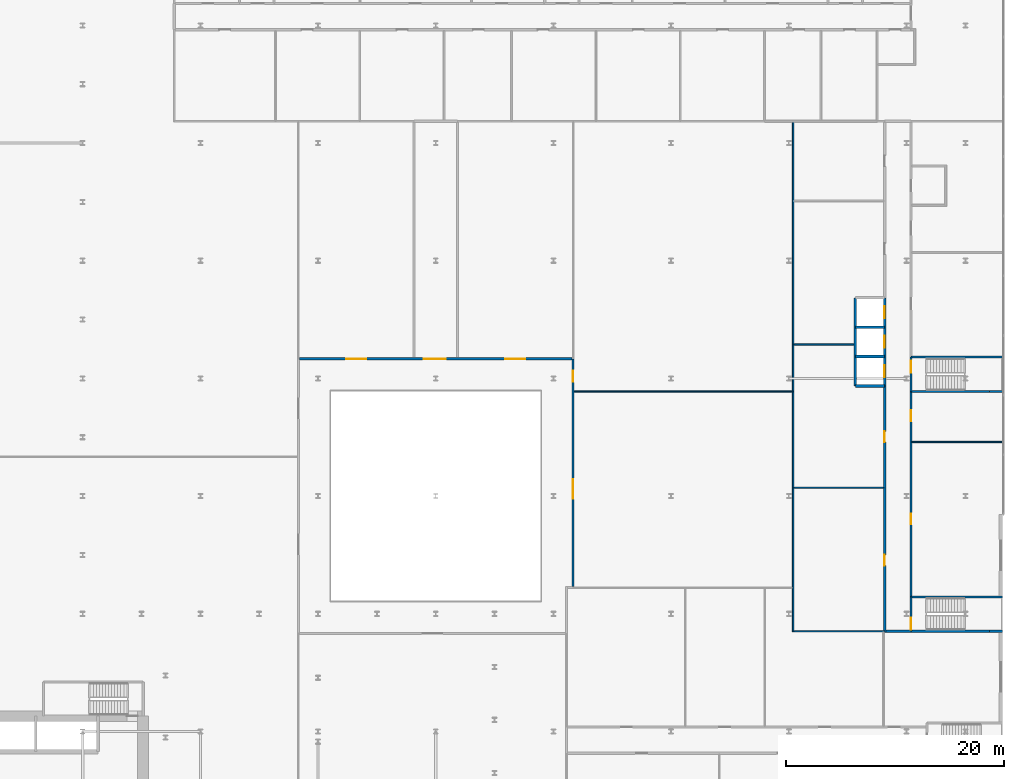
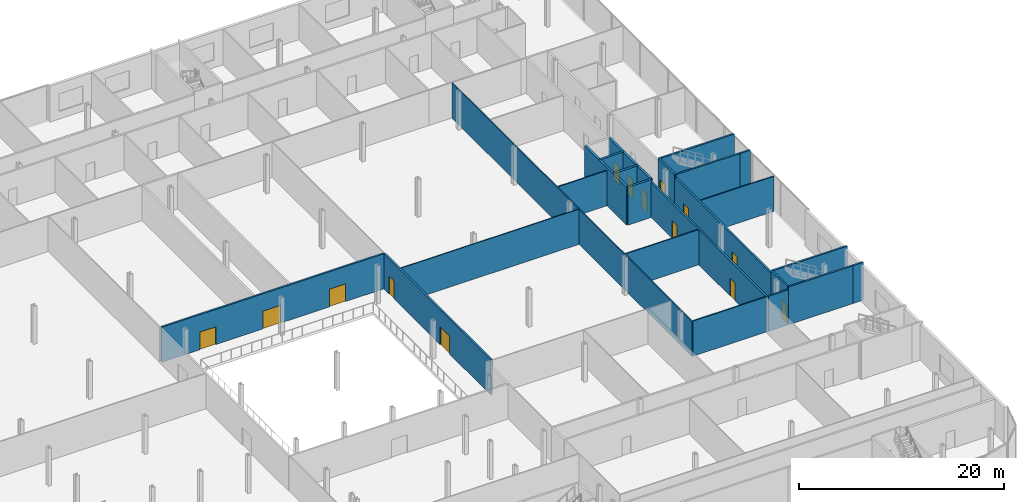
# One storey, part 33 of 47: 24 walls, 14 doors, 14 openings.
"""IFC4 building model written with IfcOpenShell, lengths in metres."""

from ifc_helpers import new_model, si_unit, direction, frame, frame_2d, origin, place, context, subcontext, project, spatial, rectangle, extrude, source, transform, mapped, material, layer, layer_set, type_object, element, fill, save


model = new_model("IFC4")

# Units and contexts
model_context = context("Model", 3, precision=1e-05, world=origin(), true_north=direction((0.0, 1.0)))
body_context = subcontext(model_context, "Body", "Model", "MODEL_VIEW")
ifc_project = project(units=[si_unit("LENGTHUNIT", "METRE"), si_unit("AREAUNIT", "SQUARE_METRE"), si_unit("VOLUMEUNIT", "CUBIC_METRE"), si_unit("PLANEANGLEUNIT", "RADIAN"), si_unit("MASSUNIT", "GRAM", prefix="KILO")], contexts=[model_context])

# Site, building, storey
site_placement = place(None, origin())
site = spatial("IfcSite", under=ifc_project, at=site_placement, CompositionType="ELEMENT")
building_placement = place(site_placement, origin())
building = spatial("IfcBuilding", under=site, at=building_placement, Name="Kheshtan School and Residences Tower", CompositionType="ELEMENT")
storey_placement = place(building_placement, frame((0.0, 0.0, 17.0)))
storey = spatial("IfcBuildingStorey", under=building, at=storey_placement, Name="L03", CompositionType="ELEMENT", Elevation=17.0)

# Walls
ifc_material_1 = material(Name="Gypsum board on steel studs with mineral wool", Category="steel")
ifc_layer_1 = layer(ifc_material_1, 0.125)
ifc_layer_set_1 = layer_set([ifc_layer_1], Name="Acoustic partition 125")
wall_type_1 = type_object("IfcWallType", Name="Acoustic partition 125", PredefinedType="PARTITIONING", material=ifc_layer_set_1)
wall_1_placement = place(storey_placement, frame((112.800048828125, 43.93798828125, 0.0), z_axis=(0.0, 0.0, 1.0), x_axis=(0.0, 1.0, 0.0)))
element("IfcWall", 1, at=wall_1_placement, inside=storey, type_object=wall_type_1, Name="Partition L03-068", PredefinedType="PARTITIONING", context=body_context, shape_type="SweptSolid", body=[
    extrude(rectangle(XDim=46.787109375, YDim=0.125, at=frame_2d((23.3935546875, 0.0))), origin(), (0.0, 0.0, 1.0), 4.179931640625),
])
wall_2_placement = place(storey_placement, frame((112.862060546875, 44.0, 0.0), z_axis=(0.0, 0.0, 1.0), x_axis=(1.0, 0.0, 0.0)))
element("IfcWall", 2, at=wall_2_placement, inside=storey, type_object=wall_type_1, Name="Partition L03-069", PredefinedType="PARTITIONING", context=body_context, shape_type="SweptSolid", body=[
    extrude(rectangle(XDim=8.279052734375, YDim=0.125, at=frame_2d((4.1396484375, 0.0))), origin(), (0.0, 0.0, 1.0), 4.179931640625),
])
wall_3_placement = place(storey_placement, frame((112.862060546875, 57.162109375, 0.0), z_axis=(0.0, 0.0, 1.0), x_axis=(1.0, 0.0, 0.0)))
element("IfcWall", 3, at=wall_3_placement, inside=storey, type_object=wall_type_1, Name="Partition L03-070", PredefinedType="PARTITIONING", context=body_context, shape_type="SweptSolid", body=[
    extrude(rectangle(XDim=8.238037109375, YDim=0.125, at=frame_2d((4.119140625, 0.0))), origin(), (0.0, 0.0, 1.0), 4.179931640625),
])
wall_4_placement = place(storey_placement, frame((112.862060546875, 70.324951171875, 0.0), z_axis=(0.0, 0.0, 1.0), x_axis=(1.0, 0.0, 0.0)))
element("IfcWall", 4, at=wall_4_placement, inside=storey, type_object=wall_type_1, Name="Partition L03-071", PredefinedType="PARTITIONING", context=body_context, shape_type="SweptSolid", body=[
    extrude(rectangle(XDim=5.513916015625, YDim=0.125, at=frame_2d((2.7568359375, 0.0))), origin(), (0.0, 0.0, 1.0), 4.179931640625),
])
wall_5_placement = place(storey_placement, frame((123.699951171875, 61.368896484375, 0.0), z_axis=(0.0, 0.0, 1.0), x_axis=(1.0, 0.0, 0.0)))
element("IfcWall", 5, at=wall_5_placement, inside=storey, type_object=wall_type_1, Name="Partition L03-091", PredefinedType="PARTITIONING", context=body_context, shape_type="SweptSolid", body=[
    extrude(rectangle(XDim=8.300048828125, YDim=0.125, at=frame_2d((4.14990234375, 0.0))), origin(), (0.0, 0.0, 1.0), 4.179931640625),
])

# Wall, openings, doors
ifc_material_2 = material(Name="Gypsum board on steel studs with fire boards", Category="steel")
ifc_layer_2 = layer(ifc_material_2, 0.199951171875)
ifc_layer_set_2 = layer_set([ifc_layer_2], Name="Corridor wall 200")
wall_type_2 = type_object("IfcWallType", Name="Corridor wall 200", PredefinedType="PARTITIONING", material=ifc_layer_set_2)
wall_6_placement = place(storey_placement, frame((67.5, 69.0, 0.0), z_axis=(0.0, 0.0, 1.0), x_axis=(1.0, 0.0, 0.0)))
wall_6 = element("IfcWall", 6, at=wall_6_placement, inside=storey, type_object=wall_type_2, Name="Partition L03-033", PredefinedType="PARTITIONING", context=body_context, shape_type="SweptSolid", body=[
    extrude(rectangle(XDim=25.0, YDim=0.199951171875, at=frame_2d((12.5, 0.0))), origin(), (0.0, 0.0, 1.0), 4.179931640625),
])
opening_1_placement = place(wall_6_placement, frame((11.39990234375, 0.0, 0.0)))
opening_1 = element("IfcOpeningElement", 7, at=opening_1_placement, cuts=wall_6, Name="Opening D03-012", PredefinedType="OPENING", context=body_context, shape_type="SweptSolid", body=[
    extrude(rectangle(XDim=2.0, YDim=2.10009765625, at=frame_2d((1.0, 1.050048828125))), frame((0.0, 0.10986328125, 0.0), z_axis=(0.0, -1.0, 0.0), x_axis=(1.0, 0.0, 0.0)), (0.0, 0.0, 1.0), 0.219970703125),
])
opening_2_placement = place(wall_6_placement, frame((4.300048828125, 0.0, 0.0)))
opening_2 = element("IfcOpeningElement", 8, at=opening_2_placement, cuts=wall_6, Name="Opening D03-032", PredefinedType="OPENING", context=body_context, shape_type="SweptSolid", body=[
    extrude(rectangle(XDim=1.800048828125, YDim=2.10009765625, at=frame_2d((0.89990234375, 1.050048828125))), frame((0.0, 0.10986328125, 0.0), z_axis=(0.0, -1.0, 0.0), x_axis=(1.0, 0.0, 0.0)), (0.0, 0.0, 1.0), 0.219970703125),
])
opening_3_placement = place(wall_6_placement, frame((18.89990234375, 0.0, 0.0)))
opening_3 = element("IfcOpeningElement", 9, at=opening_3_placement, cuts=wall_6, Name="Opening D03-033", PredefinedType="OPENING", context=body_context, shape_type="SweptSolid", body=[
    extrude(rectangle(XDim=1.800048828125, YDim=2.10009765625, at=frame_2d((0.89990234375, 1.050048828125))), frame((0.0, 0.10986328125, 0.0), z_axis=(0.0, -1.0, 0.0), x_axis=(1.0, 0.0, 0.0)), (0.0, 0.0, 1.0), 0.219970703125),
])
ifc_material_3 = material(Name="Steel-framed fire-resisting door leaf", Category="steel")
door_type_1 = type_object("IfcDoorType", Name="Fire double door FD60 1800 x 2100", OperationType="DOUBLE_DOOR_SINGLE_SWING", PredefinedType="DOOR", material=ifc_material_3)
shared_shape_1 = source(origin(), body_context, "Body", "SweptSolid", [
    extrude(rectangle(XDim=1.800048828125, YDim=2.10009765625, at=frame_2d((0.89990234375, 1.050048828125))), frame((0.0, 0.02490234375, 0.0), z_axis=(0.0, -1.0, 0.0), x_axis=(1.0, 0.0, 0.0)), (0.0, 0.0, 1.0), 0.050048828125),
])
door_1_placement = place(opening_2_placement, origin())
door_1 = element("IfcDoor", 10, at=door_1_placement, inside=storey, type_object=door_type_1, Name="Door D03-032", OperationType="DOUBLE_DOOR_SINGLE_SWING", OverallHeight=2.10009765625, OverallWidth=1.800048828125, PredefinedType="DOOR", context=body_context, shape_type="MappedRepresentation", body=[
    mapped(shared_shape_1, transform((0.0, 0.0, 0.0), x_axis=(1.0, 0.0, 0.0), y_axis=(0.0, 1.0, 0.0), z_axis=(0.0, 0.0, 1.0), scale=1.0)),
])
fill(opening_2, door_1)
door_2_placement = place(opening_3_placement, origin())
door_2 = element("IfcDoor", 11, at=door_2_placement, inside=storey, type_object=door_type_1, Name="Door D03-033", OperationType="DOUBLE_DOOR_SINGLE_SWING", OverallHeight=2.10009765625, OverallWidth=1.800048828125, PredefinedType="DOOR", context=body_context, shape_type="MappedRepresentation", body=[
    mapped(shared_shape_1, transform((0.0, 0.0, 0.0), x_axis=(1.0, 0.0, 0.0), y_axis=(0.0, 1.0, 0.0), z_axis=(0.0, 0.0, 1.0), scale=1.0)),
])
fill(opening_3, door_2)
door_type_2 = type_object("IfcDoorType", Name="Fire double door FD60 2000 x 2100", OperationType="DOUBLE_DOOR_SINGLE_SWING", PredefinedType="DOOR", material=ifc_material_3)
shared_shape_2 = source(origin(), body_context, "Body", "SweptSolid", [
    extrude(rectangle(XDim=2.0, YDim=2.10009765625, at=frame_2d((1.0, 1.050048828125))), frame((0.0, 0.02490234375, 0.0), z_axis=(0.0, -1.0, 0.0), x_axis=(1.0, 0.0, 0.0)), (0.0, 0.0, 1.0), 0.050048828125),
])
door_3_placement = place(opening_1_placement, origin())
door_3 = element("IfcDoor", 12, at=door_3_placement, inside=storey, type_object=door_type_2, Name="Door D03-012", OperationType="DOUBLE_DOOR_SINGLE_SWING", OverallHeight=2.10009765625, OverallWidth=2.0, PredefinedType="DOOR", context=body_context, shape_type="MappedRepresentation", body=[
    mapped(shared_shape_2, transform((0.0, 0.0, 0.0), x_axis=(1.0, 0.0, 0.0), y_axis=(0.0, 1.0, 0.0), z_axis=(0.0, 0.0, 1.0), scale=1.0)),
])
fill(opening_1, door_3)

wall_7_placement = place(storey_placement, frame((92.60009765625, 48.10009765625, 0.0), z_axis=(0.0, 0.0, 1.0), x_axis=(0.0, 1.0, 0.0)))
wall_7 = element("IfcWall", 13, at=wall_7_placement, inside=storey, type_object=wall_type_2, Name="Partition L03-054", PredefinedType="PARTITIONING", context=body_context, shape_type="SweptSolid", body=[
    extrude(rectangle(XDim=20.89990234375, YDim=0.199951171875, at=frame_2d((10.449951171875, 0.0))), origin(), (0.0, 0.0, 1.0), 4.179931640625),
])
opening_4_placement = place(wall_7_placement, frame((8.050048828125, 0.0, 0.0)))
opening_4 = element("IfcOpeningElement", 14, at=opening_4_placement, cuts=wall_7, Name="Opening D03-010", PredefinedType="OPENING", context=body_context, shape_type="SweptSolid", body=[
    extrude(rectangle(XDim=1.800048828125, YDim=2.10009765625, at=frame_2d((0.89990234375, 1.050048828125))), frame((0.0, 0.10986328125, 0.0), z_axis=(0.0, -1.0, 0.0), x_axis=(1.0, 0.0, 0.0)), (0.0, 0.0, 1.0), 0.219970703125),
])
opening_5_placement = place(wall_7_placement, frame((18.800048828125, 0.0, 0.0)))
opening_5 = element("IfcOpeningElement", 15, at=opening_5_placement, cuts=wall_7, Name="Opening D03-011", PredefinedType="OPENING", context=body_context, shape_type="SweptSolid", body=[
    extrude(rectangle(XDim=1.0, YDim=2.10009765625, at=frame_2d((0.5, 1.050048828125))), frame((0.0, 0.10986328125, 0.0), z_axis=(0.0, -1.0, 0.0), x_axis=(1.0, 0.0, 0.0)), (0.0, 0.0, 1.0), 0.219970703125),
])
door_4_placement = place(opening_4_placement, origin())
door_4 = element("IfcDoor", 16, at=door_4_placement, inside=storey, type_object=door_type_1, Name="Door D03-010", OperationType="DOUBLE_DOOR_SINGLE_SWING", OverallHeight=2.10009765625, OverallWidth=1.800048828125, PredefinedType="DOOR", context=body_context, shape_type="MappedRepresentation", body=[
    mapped(shared_shape_1, transform((0.0, 0.0, 0.0), x_axis=(1.0, 0.0, 0.0), y_axis=(0.0, 1.0, 0.0), z_axis=(0.0, 0.0, 1.0), scale=1.0)),
])
fill(opening_4, door_4)
door_type_3 = type_object("IfcDoorType", Name="Fire door FD60 1000 x 2100", OperationType="SINGLE_SWING_LEFT", PredefinedType="DOOR", material=ifc_material_3)
shared_shape_3 = source(origin(), body_context, "Body", "SweptSolid", [
    extrude(rectangle(XDim=1.0, YDim=2.10009765625, at=frame_2d((0.5, 1.050048828125))), frame((0.0, 0.02490234375, 0.0), z_axis=(0.0, -1.0, 0.0), x_axis=(1.0, 0.0, 0.0)), (0.0, 0.0, 1.0), 0.050048828125),
])
door_5_placement = place(opening_5_placement, origin())
door_5 = element("IfcDoor", 17, at=door_5_placement, inside=storey, type_object=door_type_3, Name="Door D03-011", OperationType="SINGLE_SWING_RIGHT", OverallHeight=2.10009765625, OverallWidth=1.0, PredefinedType="DOOR", context=body_context, shape_type="MappedRepresentation", body=[
    mapped(shared_shape_3, transform((0.0, 0.0, 0.0), x_axis=(1.0, 0.0, 0.0), y_axis=(0.0, 1.0, 0.0), z_axis=(0.0, 0.0, 1.0), scale=1.0)),
])
fill(opening_5, door_5)

wall_8_placement = place(storey_placement, frame((121.199951171875, 43.89990234375, 0.0), z_axis=(0.0, 0.0, 1.0), x_axis=(0.0, 1.0, 0.0)))
wall_8 = element("IfcWall", 18, at=wall_8_placement, inside=storey, type_object=wall_type_2, Name="Partition L03-081", PredefinedType="PARTITIONING", context=body_context, shape_type="SweptSolid", body=[
    extrude(rectangle(XDim=22.60009765625, YDim=0.199951171875, at=frame_2d((11.300048828125, 0.0))), origin(), (0.0, 0.0, 1.0), 4.179931640625),
])
opening_6_placement = place(wall_8_placement, frame((6.112060546875, 0.0, 0.0)))
opening_6 = element("IfcOpeningElement", 19, at=opening_6_placement, cuts=wall_8, Name="Opening D03-001", PredefinedType="OPENING", context=body_context, shape_type="SweptSolid", body=[
    extrude(rectangle(XDim=1.0, YDim=2.10009765625, at=frame_2d((0.5, 1.050048828125))), frame((0.0, 0.10986328125, 0.0), z_axis=(0.0, -1.0, 0.0), x_axis=(1.0, 0.0, 0.0)), (0.0, 0.0, 1.0), 0.219970703125),
])
opening_7_placement = place(wall_8_placement, frame((17.449951171875, 0.0, 0.0)))
opening_7 = element("IfcOpeningElement", 20, at=opening_7_placement, cuts=wall_8, Name="Opening D03-002", PredefinedType="OPENING", context=body_context, shape_type="SweptSolid", body=[
    extrude(rectangle(XDim=1.0, YDim=2.10009765625, at=frame_2d((0.5, 1.050048828125))), frame((0.0, 0.10986328125, 0.0), z_axis=(0.0, -1.0, 0.0), x_axis=(1.0, 0.0, 0.0)), (0.0, 0.0, 1.0), 0.219970703125),
])
door_6_placement = place(opening_6_placement, origin())
door_6 = element("IfcDoor", 21, at=door_6_placement, inside=storey, type_object=door_type_3, Name="Door D03-001", OperationType="SINGLE_SWING_RIGHT", OverallHeight=2.10009765625, OverallWidth=1.0, PredefinedType="DOOR", context=body_context, shape_type="MappedRepresentation", body=[
    mapped(shared_shape_3, transform((0.0, 0.0, 0.0), x_axis=(1.0, 0.0, 0.0), y_axis=(0.0, 1.0, 0.0), z_axis=(0.0, 0.0, 1.0), scale=1.0)),
])
fill(opening_6, door_6)
door_7_placement = place(opening_7_placement, origin())
door_7 = element("IfcDoor", 22, at=door_7_placement, inside=storey, type_object=door_type_3, Name="Door D03-002", OperationType="SINGLE_SWING_LEFT", OverallHeight=2.10009765625, OverallWidth=1.0, PredefinedType="DOOR", context=body_context, shape_type="MappedRepresentation", body=[
    mapped(shared_shape_3, transform((0.0, 0.0, 0.0), x_axis=(1.0, 0.0, 0.0), y_axis=(0.0, 1.0, 0.0), z_axis=(0.0, 0.0, 1.0), scale=1.0)),
])
fill(opening_7, door_7)

# Wall
wall_9_placement = place(storey_placement, frame((121.300048828125, 44.0, 0.0), z_axis=(0.0, 0.0, 1.0), x_axis=(1.0, 0.0, 0.0)))
element("IfcWall", 23, at=wall_9_placement, inside=storey, type_object=wall_type_2, Name="Partition L03-084", PredefinedType="PARTITIONING", context=body_context, shape_type="SweptSolid", body=[
    extrude(rectangle(XDim=2.300048828125, YDim=0.199951171875, at=frame_2d((1.14990234375, 0.0))), origin(), (0.0, 0.0, 1.0), 4.179931640625),
])

# Wall, openings, doors
wall_10_placement = place(storey_placement, frame((123.60009765625, 47.14990234375, 0.0), z_axis=(0.0, 0.0, 1.0), x_axis=(0.0, 1.0, 0.0)))
wall_10 = element("IfcWall", 24, at=wall_10_placement, inside=storey, type_object=wall_type_2, Name="Partition L03-085", PredefinedType="PARTITIONING", context=body_context, shape_type="SweptSolid", body=[
    extrude(rectangle(XDim=18.85009765625, YDim=0.199951171875, at=frame_2d((9.425048828125, 0.0))), origin(), (0.0, 0.0, 1.0), 4.179931640625),
])
opening_8_placement = place(wall_10_placement, frame((6.64990234375, 0.0, 0.0)))
opening_8 = element("IfcOpeningElement", 25, at=opening_8_placement, cuts=wall_10, Name="Opening D03-005", PredefinedType="OPENING", context=body_context, shape_type="SweptSolid", body=[
    extrude(rectangle(XDim=1.0, YDim=2.10009765625, at=frame_2d((0.5, 1.050048828125))), frame((0.0, 0.10986328125, 0.0), z_axis=(0.0, -1.0, 0.0), x_axis=(1.0, 0.0, 0.0)), (0.0, 0.0, 1.0), 0.219970703125),
])
opening_9_placement = place(wall_10_placement, frame((16.118896484375, 0.0, 0.0)))
opening_9 = element("IfcOpeningElement", 26, at=opening_9_placement, cuts=wall_10, Name="Opening D03-006", PredefinedType="OPENING", context=body_context, shape_type="SweptSolid", body=[
    extrude(rectangle(XDim=1.0, YDim=2.10009765625, at=frame_2d((0.5, 1.050048828125))), frame((0.0, 0.10986328125, 0.0), z_axis=(0.0, -1.0, 0.0), x_axis=(1.0, 0.0, 0.0)), (0.0, 0.0, 1.0), 0.219970703125),
])
door_8_placement = place(opening_8_placement, origin())
door_8 = element("IfcDoor", 27, at=door_8_placement, inside=storey, type_object=door_type_3, Name="Door D03-005", OperationType="SINGLE_SWING_RIGHT", OverallHeight=2.10009765625, OverallWidth=1.0, PredefinedType="DOOR", context=body_context, shape_type="MappedRepresentation", body=[
    mapped(shared_shape_3, transform((0.0, 0.0, 0.0), x_axis=(1.0, 0.0, 0.0), y_axis=(0.0, 1.0, 0.0), z_axis=(0.0, 0.0, 1.0), scale=1.0)),
])
fill(opening_8, door_8)
door_9_placement = place(opening_9_placement, origin())
door_9 = element("IfcDoor", 28, at=door_9_placement, inside=storey, type_object=door_type_3, Name="Door D03-006", OperationType="SINGLE_SWING_RIGHT", OverallHeight=2.10009765625, OverallWidth=1.0, PredefinedType="DOOR", context=body_context, shape_type="MappedRepresentation", body=[
    mapped(shared_shape_3, transform((0.0, 0.0, 0.0), x_axis=(1.0, 0.0, 0.0), y_axis=(0.0, 1.0, 0.0), z_axis=(0.0, 0.0, 1.0), scale=1.0)),
])
fill(opening_9, door_9)

# Walls
ifc_material_4 = material(Name="Gypsum board on steel studs", Category="steel")
ifc_layer_3 = layer(ifc_material_4, 0.10009765625)
ifc_layer_set_3 = layer_set([ifc_layer_3], Name="Gypsum partition 100")
wall_type_3 = type_object("IfcWallType", Name="Gypsum partition 100", PredefinedType="PARTITIONING", material=ifc_layer_set_3)
wall_11_placement = place(storey_placement, frame((92.699951171875, 66.0, 0.0), z_axis=(0.0, 0.0, 1.0), x_axis=(1.0, 0.0, 0.0)))
element("IfcWall", 29, at=wall_11_placement, inside=storey, type_object=wall_type_3, Name="Partition L03-056", PredefinedType="PARTITIONING", context=body_context, shape_type="SweptSolid", body=[
    extrude(rectangle(XDim=20.0380859375, YDim=0.10009765625, at=frame_2d((10.01904296875, 0.0))), origin(), (0.0, 0.0, 1.0), 4.179931640625),
])
ifc_material_5 = material(Name="Fire-board shaft wall system")
ifc_layer_4 = layer(ifc_material_5, 0.25)
ifc_layer_set_4 = layer_set([ifc_layer_4], Name="Shaft lining wall 250")
wall_type_4 = type_object("IfcWallType", Name="Shaft lining wall 250", PredefinedType="PARTITIONING", material=ifc_layer_set_4)
wall_12_placement = place(storey_placement, frame((118.5, 66.5, 0.0), z_axis=(0.0, 0.0, 1.0), x_axis=(0.0, 1.0, 0.0)))
element("IfcWall", 30, at=wall_12_placement, inside=storey, type_object=wall_type_4, Name="Shaft lining wall", PredefinedType="PARTITIONING", context=body_context, shape_type="SweptSolid", body=[
    extrude(rectangle(XDim=8.10009765625, YDim=0.25, at=frame_2d((4.050048828125, 0.0))), origin(), (0.0, 0.0, 1.0), 4.5),
])

# Wall, openings, doors
wall_13_placement = place(storey_placement, frame((121.199951171875, 66.5, 0.0), z_axis=(0.0, 0.0, 1.0), x_axis=(0.0, 1.0, 0.0)))
wall_13 = element("IfcWall", 31, at=wall_13_placement, inside=storey, type_object=wall_type_4, Name="Shaft lining wall", PredefinedType="PARTITIONING", context=body_context, shape_type="SweptSolid", body=[
    extrude(rectangle(XDim=8.10009765625, YDim=0.25, at=frame_2d((4.050048828125, 0.0))), origin(), (0.0, 0.0, 1.0), 4.5),
])
opening_10_placement = place(wall_13_placement, frame((0.800048828125, 0.0, 0.0)))
opening_10 = element("IfcOpeningElement", 32, at=opening_10_placement, cuts=wall_13, Name="Opening LD", PredefinedType="OPENING", context=body_context, shape_type="SweptSolid", body=[
    extrude(rectangle(XDim=1.10009765625, YDim=2.199951171875, at=frame_2d((0.550048828125, 1.10009765625))), frame((0.0, 0.135009765625, 0.0), z_axis=(0.0, -1.0, 0.0), x_axis=(1.0, 0.0, 0.0)), (0.0, 0.0, 1.0), 0.27001953125),
])
opening_11_placement = place(wall_13_placement, frame((3.5, 0.0, 0.0)))
opening_11 = element("IfcOpeningElement", 33, at=opening_11_placement, cuts=wall_13, Name="Opening LD", PredefinedType="OPENING", context=body_context, shape_type="SweptSolid", body=[
    extrude(rectangle(XDim=1.10009765625, YDim=2.199951171875, at=frame_2d((0.550048828125, 1.10009765625))), frame((0.0, 0.135009765625, 0.0), z_axis=(0.0, -1.0, 0.0), x_axis=(1.0, 0.0, 0.0)), (0.0, 0.0, 1.0), 0.27001953125),
])
opening_12_placement = place(wall_13_placement, frame((6.199951171875, 0.0, 0.0)))
opening_12 = element("IfcOpeningElement", 34, at=opening_12_placement, cuts=wall_13, Name="Opening LD", PredefinedType="OPENING", context=body_context, shape_type="SweptSolid", body=[
    extrude(rectangle(XDim=1.10009765625, YDim=2.199951171875, at=frame_2d((0.550048828125, 1.10009765625))), frame((0.0, 0.135009765625, 0.0), z_axis=(0.0, -1.0, 0.0), x_axis=(1.0, 0.0, 0.0)), (0.0, 0.0, 1.0), 0.27001953125),
])
ifc_material_6 = material(Name="Stainless steel door leaves", Category="steel")
door_type_4 = type_object("IfcDoorType", Name="Lift landing door 1100", OperationType="SLIDING_TO_LEFT", PredefinedType="DOOR", material=ifc_material_6)
shared_shape_4 = source(origin(), body_context, "Body", "SweptSolid", [
    extrude(rectangle(XDim=1.10009765625, YDim=2.199951171875, at=frame_2d((0.550048828125, 1.10009765625))), frame((0.0, 0.02490234375, 0.0), z_axis=(0.0, -1.0, 0.0), x_axis=(1.0, 0.0, 0.0)), (0.0, 0.0, 1.0), 0.050048828125),
])
door_10_placement = place(opening_10_placement, origin())
door_10 = element("IfcDoor", 35, at=door_10_placement, inside=storey, type_object=door_type_4, Name="Lift SCL1 landing door", OperationType="SLIDING_TO_LEFT", OverallHeight=2.199951171875, OverallWidth=1.10009765625, PredefinedType="DOOR", context=body_context, shape_type="MappedRepresentation", body=[
    mapped(shared_shape_4, transform((0.0, 0.0, 0.0), x_axis=(1.0, 0.0, 0.0), y_axis=(0.0, 1.0, 0.0), z_axis=(0.0, 0.0, 1.0), scale=1.0)),
])
fill(opening_10, door_10)
door_11_placement = place(opening_11_placement, origin())
door_11 = element("IfcDoor", 36, at=door_11_placement, inside=storey, type_object=door_type_4, Name="Lift SCL2 landing door", OperationType="SLIDING_TO_LEFT", OverallHeight=2.199951171875, OverallWidth=1.10009765625, PredefinedType="DOOR", context=body_context, shape_type="MappedRepresentation", body=[
    mapped(shared_shape_4, transform((0.0, 0.0, 0.0), x_axis=(1.0, 0.0, 0.0), y_axis=(0.0, 1.0, 0.0), z_axis=(0.0, 0.0, 1.0), scale=1.0)),
])
fill(opening_11, door_11)
door_12_placement = place(opening_12_placement, origin())
door_12 = element("IfcDoor", 37, at=door_12_placement, inside=storey, type_object=door_type_4, Name="Lift SCL3 landing door", OperationType="SLIDING_TO_LEFT", OverallHeight=2.199951171875, OverallWidth=1.10009765625, PredefinedType="DOOR", context=body_context, shape_type="MappedRepresentation", body=[
    mapped(shared_shape_4, transform((0.0, 0.0, 0.0), x_axis=(1.0, 0.0, 0.0), y_axis=(0.0, 1.0, 0.0), z_axis=(0.0, 0.0, 1.0), scale=1.0)),
])
fill(opening_12, door_12)

# Walls
for number, where, z_axis, x_axis, name in (
    (38, (118.5, 66.5, 0.0), (0.0, 0.0, 1.0), (1.0, 0.0, 0.0), "Shaft lining wall"),
    (39, (118.5, 69.199951171875, 0.0), (0.0, 0.0, 1.0), (1.0, 0.0, 0.0), "Shaft lining wall"),
    (40, (118.5, 71.89990234375, 0.0), (0.0, 0.0, 1.0), (1.0, 0.0, 0.0), "Shaft lining wall"),
):
    element("IfcWall", number, at=place(storey_placement, frame(where, z_axis=z_axis, x_axis=x_axis)), inside=storey, type_object=wall_type_4, Name=name, PredefinedType="PARTITIONING", context=body_context, shape_type="SweptSolid", body=[
        extrude(rectangle(XDim=2.699951171875, YDim=0.25, at=frame_2d((1.35009765625, 0.0))), origin(), (0.0, 0.0, 1.0), 4.5),
    ])
ifc_material_7 = material(Name="Concrete C40/50", Category="concrete")
ifc_layer_5 = layer(ifc_material_7, 0.199951171875)
ifc_layer_set_5 = layer_set([ifc_layer_5], Name="Stair enclosure wall 200 Concrete C40/50")
wall_type_5 = type_object("IfcWallType", Name="Stair enclosure wall 200 Concrete C40/50", PredefinedType="SHEAR", material=ifc_layer_set_5)
wall_14_placement = place(storey_placement, frame((123.60009765625, 44.0, 0.0), z_axis=(0.0, 0.0, 1.0), x_axis=(1.0, 0.0, 0.0)))
element("IfcWall", 41, at=wall_14_placement, inside=storey, type_object=wall_type_5, Name="Stair enclosure wall", PredefinedType="SHEAR", context=body_context, shape_type="SweptSolid", body=[
    extrude(rectangle(XDim=7.199951171875, YDim=0.199951171875, at=frame_2d((3.60009765625, 0.0))), origin(), (0.0, 0.0, 1.0), 4.5),
])
wall_15_placement = place(storey_placement, frame((130.800048828125, 44.0, 0.0), z_axis=(0.0, 0.0, 1.0), x_axis=(1.0, 0.0, 0.0)))
element("IfcWall", 42, at=wall_15_placement, inside=storey, type_object=wall_type_5, Name="Stair enclosure wall", PredefinedType="SHEAR", context=body_context, shape_type="SweptSolid", body=[
    extrude(rectangle(XDim=1.199951171875, YDim=0.199951171875, at=frame_2d((0.60009765625, 0.0))), origin(), (0.0, 0.0, 1.0), 4.5),
])
wall_16_placement = place(storey_placement, frame((123.60009765625, 47.14990234375, 0.0), z_axis=(0.0, 0.0, 1.0), x_axis=(1.0, 0.0, 0.0)))
element("IfcWall", 43, at=wall_16_placement, inside=storey, type_object=wall_type_5, Name="Stair enclosure wall", PredefinedType="SHEAR", context=body_context, shape_type="SweptSolid", body=[
    extrude(rectangle(XDim=8.39990234375, YDim=0.199951171875, at=frame_2d((4.199951171875, 0.0))), origin(), (0.0, 0.0, 1.0), 4.5),
])

# Wall, opening, door
wall_17_placement = place(storey_placement, frame((123.60009765625, 44.0, 0.0), z_axis=(0.0, 0.0, 1.0), x_axis=(0.0, 1.0, 0.0)))
wall_17 = element("IfcWall", 44, at=wall_17_placement, inside=storey, type_object=wall_type_5, Name="Stair enclosure wall", PredefinedType="SHEAR", context=body_context, shape_type="SweptSolid", body=[
    extrude(rectangle(XDim=3.14990234375, YDim=0.199951171875, at=frame_2d((1.574951171875, 0.0))), origin(), (0.0, 0.0, 1.0), 4.5),
])
opening_13_placement = place(wall_17_placement, frame((0.14990234375, 0.0, 0.0)))
opening_13 = element("IfcOpeningElement", 45, at=opening_13_placement, cuts=wall_17, Name="Opening SD90", PredefinedType="OPENING", context=body_context, shape_type="SweptSolid", body=[
    extrude(rectangle(XDim=1.10009765625, YDim=2.199951171875, at=frame_2d((0.550048828125, 1.10009765625))), frame((0.0, 0.10986328125, 0.0), z_axis=(0.0, -1.0, 0.0), x_axis=(1.0, 0.0, 0.0)), (0.0, 0.0, 1.0), 0.219970703125),
])
ifc_material_8 = material(Name="Steel door leaf, galvanised", Category="steel")
door_type_5 = type_object("IfcDoorType", Name="Stair door 1100 steel 90 min", OperationType="SINGLE_SWING_LEFT", PredefinedType="DOOR", material=ifc_material_8)
shared_shape_5 = source(origin(), body_context, "Body", "SweptSolid", [
    extrude(rectangle(XDim=1.10009765625, YDim=2.199951171875, at=frame_2d((0.550048828125, 1.10009765625))), frame((0.0, 0.02490234375, 0.0), z_axis=(0.0, -1.0, 0.0), x_axis=(1.0, 0.0, 0.0)), (0.0, 0.0, 1.0), 0.050048828125),
])
door_13_placement = place(opening_13_placement, origin())
door_13 = element("IfcDoor", 46, at=door_13_placement, inside=storey, type_object=door_type_5, Name="Stair door", OperationType="SINGLE_SWING_RIGHT", OverallHeight=2.199951171875, OverallWidth=1.10009765625, PredefinedType="DOOR", context=body_context, shape_type="MappedRepresentation", body=[
    mapped(shared_shape_5, transform((0.0, 0.0, 0.0), x_axis=(1.0, 0.0, 0.0), y_axis=(0.0, 1.0, 0.0), z_axis=(0.0, 0.0, 1.0), scale=1.0)),
])
fill(opening_13, door_13)

# Walls
wall_18_placement = place(storey_placement, frame((123.60009765625, 66.0, 0.0), z_axis=(0.0, 0.0, 1.0), x_axis=(1.0, 0.0, 0.0)))
element("IfcWall", 47, at=wall_18_placement, inside=storey, type_object=wall_type_5, Name="Stair enclosure wall", PredefinedType="SHEAR", context=body_context, shape_type="SweptSolid", body=[
    extrude(rectangle(XDim=7.199951171875, YDim=0.199951171875, at=frame_2d((3.60009765625, 0.0))), origin(), (0.0, 0.0, 1.0), 4.5),
])
wall_19_placement = place(storey_placement, frame((130.800048828125, 66.0, 0.0), z_axis=(0.0, 0.0, 1.0), x_axis=(1.0, 0.0, 0.0)))
element("IfcWall", 48, at=wall_19_placement, inside=storey, type_object=wall_type_5, Name="Stair enclosure wall", PredefinedType="SHEAR", context=body_context, shape_type="SweptSolid", body=[
    extrude(rectangle(XDim=1.199951171875, YDim=0.199951171875, at=frame_2d((0.60009765625, 0.0))), origin(), (0.0, 0.0, 1.0), 4.5),
])
wall_20_placement = place(storey_placement, frame((123.60009765625, 69.14990234375, 0.0), z_axis=(0.0, 0.0, 1.0), x_axis=(1.0, 0.0, 0.0)))
element("IfcWall", 49, at=wall_20_placement, inside=storey, type_object=wall_type_5, Name="Stair enclosure wall", PredefinedType="SHEAR", context=body_context, shape_type="SweptSolid", body=[
    extrude(rectangle(XDim=8.39990234375, YDim=0.199951171875, at=frame_2d((4.199951171875, 0.0))), origin(), (0.0, 0.0, 1.0), 4.5),
])

# Wall, opening, door
wall_21_placement = place(storey_placement, frame((123.60009765625, 66.0, 0.0), z_axis=(0.0, 0.0, 1.0), x_axis=(0.0, 1.0, 0.0)))
wall_21 = element("IfcWall", 50, at=wall_21_placement, inside=storey, type_object=wall_type_5, Name="Stair enclosure wall", PredefinedType="SHEAR", context=body_context, shape_type="SweptSolid", body=[
    extrude(rectangle(XDim=3.14990234375, YDim=0.199951171875, at=frame_2d((1.574951171875, 0.0))), origin(), (0.0, 0.0, 1.0), 4.5),
])
opening_14_placement = place(wall_21_placement, frame((1.699951171875, 0.0, 0.0)))
opening_14 = element("IfcOpeningElement", 51, at=opening_14_placement, cuts=wall_21, Name="Opening SD90", PredefinedType="OPENING", context=body_context, shape_type="SweptSolid", body=[
    extrude(rectangle(XDim=1.10009765625, YDim=2.199951171875, at=frame_2d((0.550048828125, 1.10009765625))), frame((0.0, 0.10986328125, 0.0), z_axis=(0.0, -1.0, 0.0), x_axis=(1.0, 0.0, 0.0)), (0.0, 0.0, 1.0), 0.219970703125),
])
door_14_placement = place(opening_14_placement, origin())
door_14 = element("IfcDoor", 52, at=door_14_placement, inside=storey, type_object=door_type_5, Name="Stair door", OperationType="SINGLE_SWING_LEFT", OverallHeight=2.199951171875, OverallWidth=1.10009765625, PredefinedType="DOOR", context=body_context, shape_type="MappedRepresentation", body=[
    mapped(shared_shape_5, transform((0.0, 0.0, 0.0), x_axis=(1.0, 0.0, 0.0), y_axis=(0.0, 1.0, 0.0), z_axis=(0.0, 0.0, 1.0), scale=1.0)),
])
fill(opening_14, door_14)

save(model, "model.ifc")
